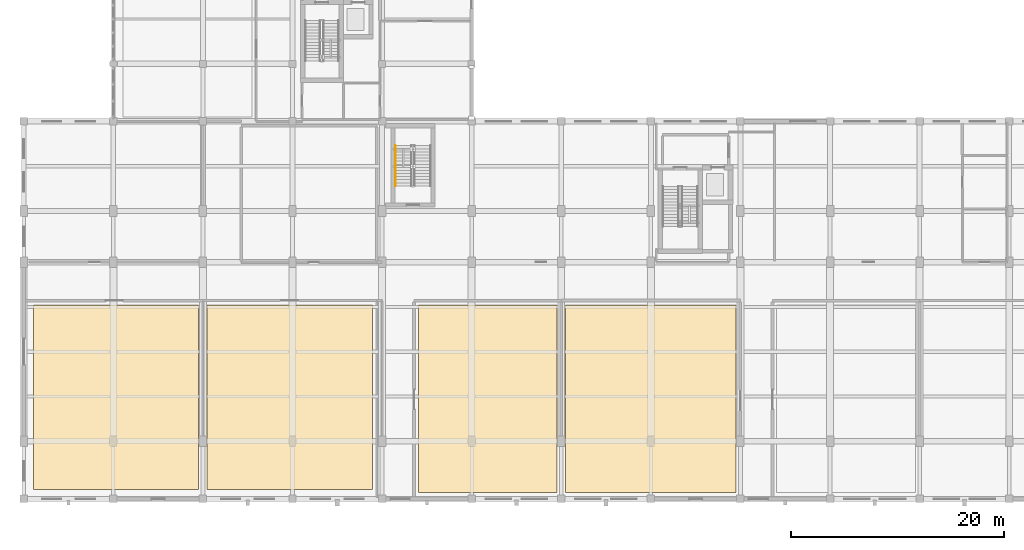
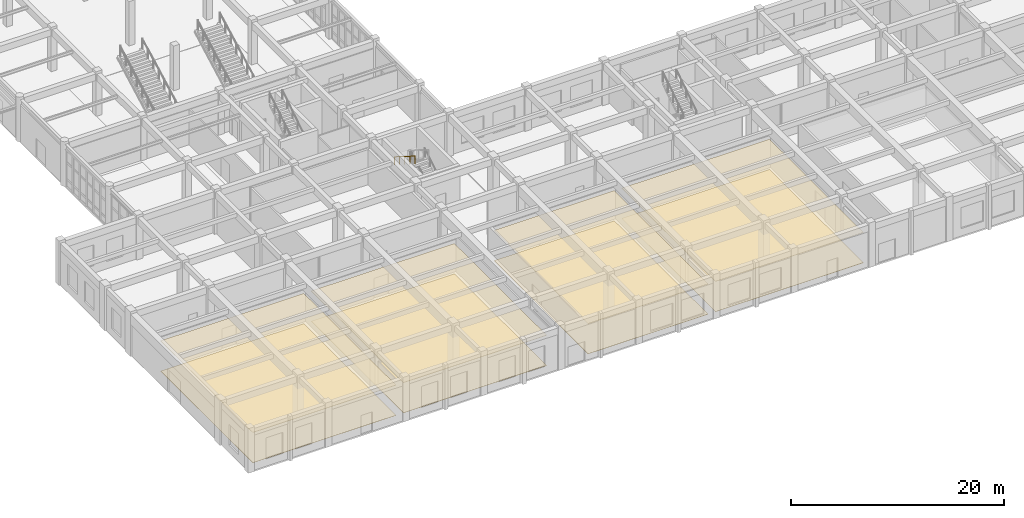
# One storey, part 73 of 80: 8 coverings, 1 railing.
"""IFC4 building model written with IfcOpenShell, lengths in metres."""

from ifc_helpers import new_model, si_unit, direction, frame, origin, origin_2d, place, context, subcontext, project, spatial, polyline, circle, outline, extrude, material, layer, layer_set, type_object, element, save


model = new_model("IFC4")

# Units and contexts
model_context = context("Model", 3, precision=1e-05, world=origin(), true_north=direction((0.0, 1.0)))
body_context = subcontext(model_context, "Body", "Model", "MODEL_VIEW")
ifc_project = project(units=[si_unit("LENGTHUNIT", "METRE"), si_unit("AREAUNIT", "SQUARE_METRE"), si_unit("VOLUMEUNIT", "CUBIC_METRE"), si_unit("PLANEANGLEUNIT", "RADIAN"), si_unit("MASSUNIT", "GRAM", prefix="KILO")], contexts=[model_context])

# Site, building, storey
site_placement = place(None, origin())
site = spatial("IfcSite", under=ifc_project, at=site_placement, CompositionType="ELEMENT")
building_placement = place(site_placement, origin())
building = spatial("IfcBuilding", under=site, at=building_placement, Name="Krzemoval Escarpment Law Courts", CompositionType="ELEMENT")
storey_placement = place(building_placement, origin())
storey = spatial("IfcBuildingStorey", under=building, at=storey_placement, Name="L00", CompositionType="ELEMENT", Elevation=0.0)

# Coverings
ifc_material_1 = material(Name="Micro-Perforated Acoustic Timber and Mineral Fibre Ceiling", Category="wood")
ifc_layer_1 = layer(ifc_material_1, 0.044921875)
ifc_layer_set_1 = layer_set([ifc_layer_1], Name="Micro-Perforated Acoustic Timber and Mineral Fibre Ceiling")
covering_type_1 = type_object("IfcCoveringType", Name="COV-CLG-AC60", PredefinedType="CEILING", material=ifc_layer_set_1)
covering_1_placement = place(storey_placement, frame((0.0, 0.0, 3.449951171875)))
element("IfcCovering", 1, at=covering_1_placement, inside=storey, type_object=covering_type_1, Name="Acoustic Courtroom Ceiling CLG-L00-01", PredefinedType="CEILING", context=body_context, shape_type="SweptSolid", body=[
    extrude(outline(polyline([(0.89990234375, 0.89990234375), (0.89990234375, 18.199951171875), (16.39990234375, 18.199951171875), (16.39990234375, 0.89990234375), (0.89990234375, 0.89990234375)])), origin(), (0.0, 0.0, 1.0), 0.045166015625),
])
covering_2_placement = place(storey_placement, frame((0.0, 0.0, 3.449951171875)))
element("IfcCovering", 2, at=covering_2_placement, inside=storey, type_object=covering_type_1, Name="Acoustic Courtroom Ceiling CLG-L00-02", PredefinedType="CEILING", context=body_context, shape_type="SweptSolid", body=[
    extrude(outline(polyline([(17.199951171875, 0.89990234375), (17.199951171875, 18.199951171875), (32.699951171875, 18.199951171875), (32.699951171875, 0.89990234375), (17.199951171875, 0.89990234375)])), origin(), (0.0, 0.0, 1.0), 0.045166015625),
])
covering_3_placement = place(storey_placement, frame((0.0, 0.0, 3.449951171875)))
element("IfcCovering", 3, at=covering_3_placement, inside=storey, type_object=covering_type_1, Name="Acoustic Courtroom Ceiling CLG-L00-03", PredefinedType="CEILING", context=body_context, shape_type="SweptSolid", body=[
    extrude(outline(polyline([(37.0, 0.60009765625), (37.0, 18.199951171875), (50.0, 18.199951171875), (50.0, 0.60009765625), (37.0, 0.60009765625)])), origin(), (0.0, 0.0, 1.0), 0.045166015625),
])
covering_4_placement = place(storey_placement, frame((0.0, 0.0, 3.449951171875)))
element("IfcCovering", 4, at=covering_4_placement, inside=storey, type_object=covering_type_1, Name="Acoustic Courtroom Ceiling CLG-L00-04", PredefinedType="CEILING", context=body_context, shape_type="SweptSolid", body=[
    extrude(outline(polyline([(50.800048828125, 0.60009765625), (50.800048828125, 18.199951171875), (66.800048828125, 18.199951171875), (66.800048828125, 0.60009765625), (50.800048828125, 0.60009765625)])), origin(), (0.0, 0.0, 1.0), 0.045166015625),
])
ifc_material_2 = material(Name="Honed Silesian Granite Stone Flooring", Category="masonry")
ifc_layer_2 = layer(ifc_material_2, 0.030029296875)
ifc_layer_set_2 = layer_set([ifc_layer_2], Name="Honed Silesian Granite Stone Flooring")
covering_type_2 = type_object("IfcCoveringType", Name="COV-FLR-STN30", PredefinedType="FLOORING", material=ifc_layer_set_2)
covering_5_placement = place(storey_placement, origin())
element("IfcCovering", 5, at=covering_5_placement, inside=storey, type_object=covering_type_2, Name="Stone Floor Finish FLR-L00-01", PredefinedType="FLOORING", context=body_context, shape_type="SweptSolid", body=[
    extrude(outline(polyline([(0.89990234375, 0.89990234375), (0.89990234375, 18.199951171875), (16.39990234375, 18.199951171875), (16.39990234375, 0.89990234375), (0.89990234375, 0.89990234375)])), origin(), (0.0, 0.0, 1.0), 0.030029296875),
])
covering_6_placement = place(storey_placement, origin())
element("IfcCovering", 6, at=covering_6_placement, inside=storey, type_object=covering_type_2, Name="Stone Floor Finish FLR-L00-02", PredefinedType="FLOORING", context=body_context, shape_type="SweptSolid", body=[
    extrude(outline(polyline([(17.199951171875, 0.89990234375), (17.199951171875, 18.199951171875), (32.699951171875, 18.199951171875), (32.699951171875, 0.89990234375), (17.199951171875, 0.89990234375)])), origin(), (0.0, 0.0, 1.0), 0.030029296875),
])
covering_7_placement = place(storey_placement, origin())
element("IfcCovering", 7, at=covering_7_placement, inside=storey, type_object=covering_type_2, Name="Stone Floor Finish FLR-L00-03", PredefinedType="FLOORING", context=body_context, shape_type="SweptSolid", body=[
    extrude(outline(polyline([(37.0, 0.60009765625), (37.0, 18.199951171875), (50.0, 18.199951171875), (50.0, 0.60009765625), (37.0, 0.60009765625)])), origin(), (0.0, 0.0, 1.0), 0.030029296875),
])
covering_8_placement = place(storey_placement, origin())
element("IfcCovering", 8, at=covering_8_placement, inside=storey, type_object=covering_type_2, Name="Stone Floor Finish FLR-L00-04", PredefinedType="FLOORING", context=body_context, shape_type="SweptSolid", body=[
    extrude(outline(polyline([(50.800048828125, 0.60009765625), (50.800048828125, 18.199951171875), (66.800048828125, 18.199951171875), (66.800048828125, 0.60009765625), (50.800048828125, 0.60009765625)])), origin(), (0.0, 0.0, 1.0), 0.030029296875),
])

# Railing
ifc_material_3 = material(Name="Brushed Stainless Steel Grade 304 Handrail", Category="steel")
railing_type = type_object("IfcRailingType", Name="RL-HND-900", PredefinedType="HANDRAIL", material=ifc_material_3)
railing_placement = place(storey_placement, frame((34.85009765625, 33.1201171875, 2.732177734375)))
element("IfcRailing", 9, at=railing_placement, inside=storey, type_object=railing_type, Name="L00 ST9 stair handrail 2", PredefinedType="HANDRAIL", context=body_context, shape_type="SweptSolid", body=[
    extrude(circle(Radius=0.02392578125, at=origin_2d()), frame((0.0, 0.0, 0.8759765625), z_axis=(0.0, -0.846819337722, 0.53188063441), x_axis=(1.0, 0.0, 0.0)), (0.0, 0.0, 1.0), 4.451904296875),
    extrude(circle(Radius=0.02099609375, at=origin_2d()), origin(), (0.0, 0.0, 1.0), 0.851806640625),
    extrude(circle(Radius=0.02099609375, at=origin_2d()), frame((0.0, -0.9423828125, 0.592041015625)), (0.0, 0.0, 1.0), 0.851806640625),
    extrude(circle(Radius=0.02099609375, at=origin_2d()), frame((0.0, -1.885009765625, 1.18408203125)), (0.0, 0.0, 1.0), 0.851806640625),
    extrude(circle(Radius=0.02099609375, at=origin_2d()), frame((0.0, -2.82763671875, 1.77587890625)), (0.0, 0.0, 1.0), 0.851806640625),
    extrude(circle(Radius=0.02099609375, at=origin_2d()), frame((0.0, -3.77001953125, 2.367919921875)), (0.0, 0.0, 1.0), 0.851806640625),
])

save(model, "model.ifc")
